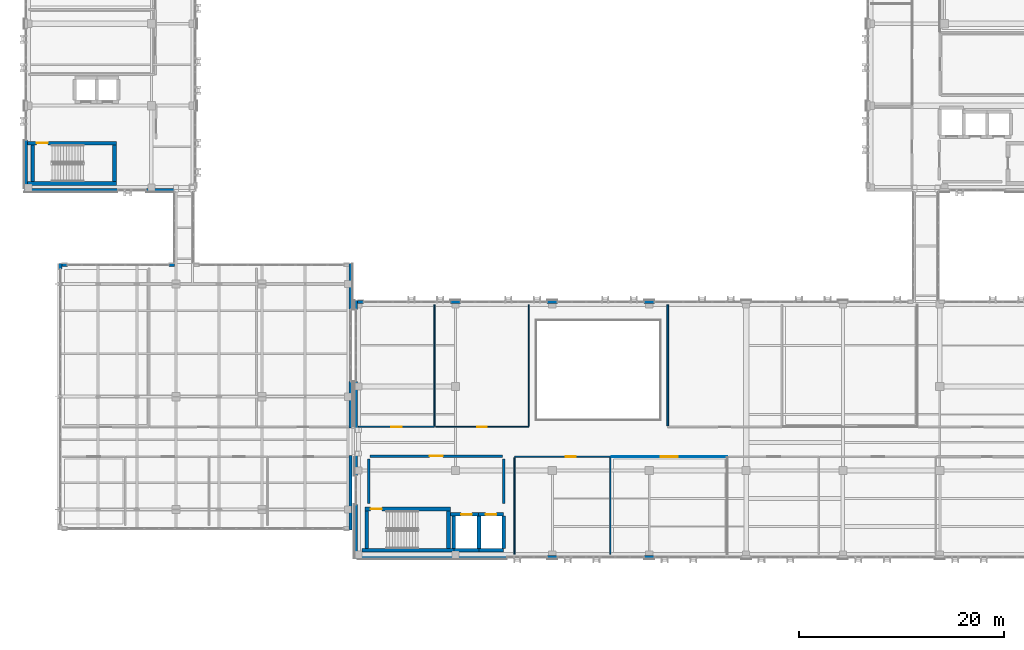
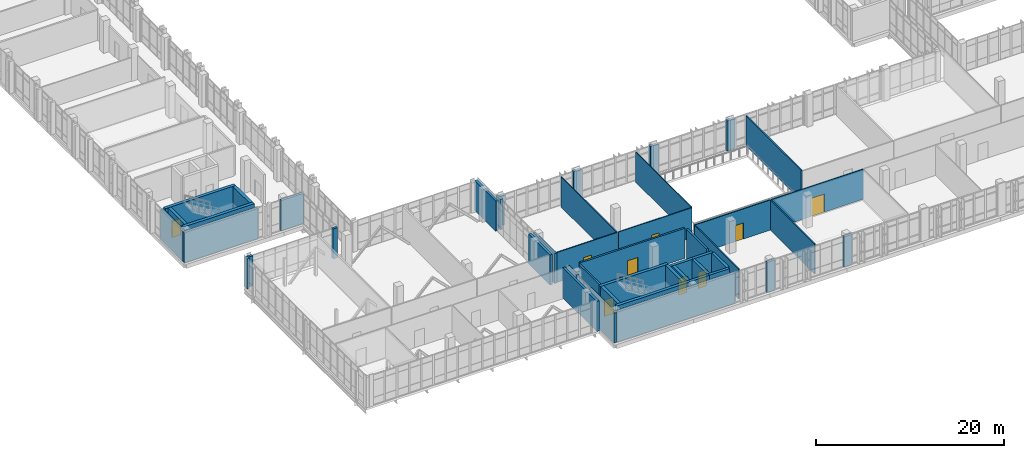
# One storey, part 154 of 193: 47 walls, 9 doors, 9 openings.
"""IFC4 building model written with IfcOpenShell, lengths in metres."""

from ifc_helpers import new_model, si_unit, direction, frame, frame_2d, origin, place, context, subcontext, project, spatial, rectangle, extrude, material, layer, layer_set, type_object, element, fill, save


model = new_model("IFC4")

# Units and contexts
model_context = context("Model", 3, precision=1e-05, world=origin(), true_north=direction((0.0, 1.0)))
body_context = subcontext(model_context, "Body", "Model", "MODEL_VIEW")
ifc_project = project(units=[si_unit("LENGTHUNIT", "METRE"), si_unit("AREAUNIT", "SQUARE_METRE"), si_unit("VOLUMEUNIT", "CUBIC_METRE"), si_unit("PLANEANGLEUNIT", "RADIAN"), si_unit("MASSUNIT", "GRAM", prefix="KILO")], contexts=[model_context])

# Site, building, storey
site_placement = place(None, origin())
site = spatial("IfcSite", under=ifc_project, at=site_placement, CompositionType="ELEMENT")
building_placement = place(site_placement, origin())
building = spatial("IfcBuilding", under=site, at=building_placement, Name="Qalavern Law Courts", CompositionType="ELEMENT")
storey_placement = place(building_placement, frame((0.0, 0.0, 10.199951171875)))
storey = spatial("IfcBuildingStorey", under=building, at=storey_placement, Name="L02", CompositionType="ELEMENT", Elevation=10.199951171875)

# Walls
ifc_material_1 = material(Name="Concrete C40/50", Category="concrete")
ifc_layer_1 = layer(ifc_material_1, 0.31005859375)
ifc_layer_set_1 = layer_set([ifc_layer_1], Name="Concrete C40/50")
wall_type_1 = type_object("IfcWallType", Name="ENV-EW-310", PredefinedType="SOLIDWALL", material=ifc_layer_set_1)
wall_1_placement = place(storey_placement, frame((33.844970703125, 8.0, 0.0), z_axis=(0.0, 0.0, 1.0), x_axis=(0.0, 1.0, 0.0)))
element("IfcWall", 1, at=wall_1_placement, inside=storey, type_object=wall_type_1, Name="V1 exterior wall L02 east 1", PredefinedType="SOLIDWALL", context=body_context, shape_type="SweptSolid", body=[
    extrude(rectangle(XDim=7.25, YDim=0.31005859375, at=frame_2d((3.625, 0.0))), origin(), (0.0, 0.0, 1.0), 3.9150390625),
])
wall_2_placement = place(storey_placement, frame((33.844970703125, 17.949951171875, 0.0), z_axis=(0.0, 0.0, 1.0), x_axis=(0.0, 1.0, 0.0)))
element("IfcWall", 2, at=wall_2_placement, inside=storey, type_object=wall_type_1, Name="V1 exterior pier wall L02 east 1", PredefinedType="SOLIDWALL", context=body_context, shape_type="SweptSolid", body=[
    extrude(rectangle(XDim=4.550048828125, YDim=0.31005859375, at=frame_2d((2.27490234375, 0.0))), origin(), (0.0, 0.0, 1.0), 3.9150390625),
])
wall_3_placement = place(storey_placement, frame((33.844970703125, 29.5, 0.0), z_axis=(0.0, 0.0, 1.0), x_axis=(0.0, 1.0, 0.0)))
element("IfcWall", 3, at=wall_3_placement, inside=storey, type_object=wall_type_1, Name="V1 exterior pier wall L02 east 2", PredefinedType="SOLIDWALL", context=body_context, shape_type="SweptSolid", body=[
    extrude(rectangle(XDim=4.5, YDim=0.31005859375, at=frame_2d((2.25, 0.0))), origin(), (0.0, 0.0, 1.0), 3.9150390625),
])
wall_4_placement = place(storey_placement, frame((16.64990234375, 33.844970703125, 0.0), z_axis=(0.0, 0.0, 1.0), x_axis=(-1.0, 0.0, 0.0)))
element("IfcWall", 4, at=wall_4_placement, inside=storey, type_object=wall_type_1, Name="V1 exterior pier wall L02 north 1", PredefinedType="SOLIDWALL", context=body_context, shape_type="SweptSolid", body=[
    extrude(rectangle(XDim=0.5498046875, YDim=0.31005859375, at=frame_2d((0.27490234375, 0.0))), origin(), (0.0, 0.0, 1.0), 3.9150390625),
])
for number, where, z_axis, x_axis, name in (
    (5, (6.205078125, 33.844970703125, 0.0), (0.0, 0.0, 1.0), (-1.0, 0.0, 0.0), "V1 exterior pier wall L02 north 2"),
    (6, (5.5048828125, 34.0, 0.0), (0.0, 0.0, 1.0), (0.0, -1.0, 0.0), "V1 exterior pier wall L02 west 1"),
):
    element("IfcWall", number, at=place(storey_placement, frame(where, z_axis=z_axis, x_axis=x_axis)), inside=storey, type_object=wall_type_1, Name=name, PredefinedType="SOLIDWALL", context=body_context, shape_type="SweptSolid", body=[
        extrude(rectangle(XDim=0.550048828125, YDim=0.31005859375, at=frame_2d((0.27490234375, 0.0))), origin(), (0.0, 0.0, 1.0), 3.9150390625),
    ])
wall_5_placement = place(storey_placement, frame((34.52490234375, 5.35498046875, 0.0), z_axis=(0.0, 0.0, 1.0), x_axis=(1.0, 0.0, 0.0)))
element("IfcWall", 7, at=wall_5_placement, inside=storey, type_object=wall_type_1, Name="V2 exterior pier wall L02 south 1", PredefinedType="SOLIDWALL", context=body_context, shape_type="SweptSolid", body=[
    extrude(rectangle(XDim=14.5751953125, YDim=0.31005859375, at=frame_2d((7.28759765625, 0.0))), origin(), (0.0, 0.0, 1.0), 3.9150390625),
])
for number, where, z_axis, x_axis, name in (
    (8, (53.028564453125, 5.35498046875, 0.0), (0.0, 0.0, 1.0), (1.0, 0.0, 0.0), "V2 exterior pier wall L02 south 2"),
    (9, (62.48291015625, 5.35498046875, 0.0), (0.0, 0.0, 1.0), (1.0, 0.0, 0.0), "V2 exterior pier wall L02 south 3"),
    (10, (63.48291015625, 30.2451171875, 0.0), (0.0, 0.0, 1.0), (-1.0, 0.0, 0.0), "V2 exterior pier wall L02 north 4"),
    (11, (54.028564453125, 30.2451171875, 0.0), (0.0, 0.0, 1.0), (-1.0, 0.0, 0.0), "V2 exterior pier wall L02 north 5"),
    (12, (44.57421875, 30.2451171875, 0.0), (0.0, 0.0, 1.0), (-1.0, 0.0, 0.0), "V2 exterior pier wall L02 north 6"),
):
    element("IfcWall", number, at=place(storey_placement, frame(where, z_axis=z_axis, x_axis=x_axis)), inside=storey, type_object=wall_type_1, Name=name, PredefinedType="SOLIDWALL", context=body_context, shape_type="SweptSolid", body=[
        extrude(rectangle(XDim=1.0, YDim=0.31005859375, at=frame_2d((0.5, 0.0))), origin(), (0.0, 0.0, 1.0), 3.9150390625),
    ])
wall_6_placement = place(storey_placement, frame((35.1201171875, 30.2451171875, 0.0), z_axis=(0.0, 0.0, 1.0), x_axis=(-1.0, 0.0, 0.0)))
element("IfcWall", 13, at=wall_6_placement, inside=storey, type_object=wall_type_1, Name="V2 exterior pier wall L02 north 7", PredefinedType="SOLIDWALL", context=body_context, shape_type="SweptSolid", body=[
    extrude(rectangle(XDim=0.59521484375, YDim=0.31005859375, at=frame_2d((0.297607421875, 0.0))), origin(), (0.0, 0.0, 1.0), 3.9150390625),
])
wall_7_placement = place(storey_placement, frame((34.375, 30.39990234375, 0.0), z_axis=(0.0, 0.0, 1.0), x_axis=(0.0, -1.0, 0.0)))
element("IfcWall", 14, at=wall_7_placement, inside=storey, type_object=wall_type_1, Name="V2 exterior pier wall L02 west 1", PredefinedType="SOLIDWALL", context=body_context, shape_type="SweptSolid", body=[
    extrude(rectangle(XDim=0.89990234375, YDim=0.31005859375, at=frame_2d((0.449951171875, 0.0))), origin(), (0.0, 0.0, 1.0), 3.9150390625),
])
wall_8_placement = place(storey_placement, frame((34.375, 22.5, 0.0), z_axis=(0.0, 0.0, 1.0), x_axis=(0.0, -1.0, 0.0)))
element("IfcWall", 15, at=wall_8_placement, inside=storey, type_object=wall_type_1, Name="V2 exterior pier wall L02 west 2", PredefinedType="SOLIDWALL", context=body_context, shape_type="SweptSolid", body=[
    extrude(rectangle(XDim=4.550048828125, YDim=0.31005859375, at=frame_2d((2.27490234375, 0.0))), origin(), (0.0, 0.0, 1.0), 3.9150390625),
])
wall_9_placement = place(storey_placement, frame((34.375, 15.25, 0.0), z_axis=(0.0, 0.0, 1.0), x_axis=(0.0, -1.0, 0.0)))
element("IfcWall", 16, at=wall_9_placement, inside=storey, type_object=wall_type_1, Name="V2 exterior pier wall L02 west 1", PredefinedType="SOLIDWALL", context=body_context, shape_type="SweptSolid", body=[
    extrude(rectangle(XDim=1.949951171875, YDim=0.31005859375, at=frame_2d((0.97509765625, 0.0))), origin(), (0.0, 0.0, 1.0), 3.9150390625),
])
wall_10_placement = place(storey_placement, frame((34.375, 10.5, 0.0), z_axis=(0.0, 0.0, 1.0), x_axis=(0.0, -1.0, 0.0)))
element("IfcWall", 17, at=wall_10_placement, inside=storey, type_object=wall_type_1, Name="V2 exterior pier wall L02 west 2", PredefinedType="SOLIDWALL", context=body_context, shape_type="SweptSolid", body=[
    extrude(rectangle(XDim=5.300048828125, YDim=0.31005859375, at=frame_2d((2.64990234375, 0.0))), origin(), (0.0, 0.0, 1.0), 3.9150390625),
])
wall_11_placement = place(storey_placement, frame((2.0, 41.175048828125, 0.0), z_axis=(0.0, 0.0, 1.0), x_axis=(1.0, 0.0, 0.0)))
element("IfcWall", 18, at=wall_11_placement, inside=storey, type_object=wall_type_1, Name="V3 exterior pier wall L02 south 1", PredefinedType="SOLIDWALL", context=body_context, shape_type="SweptSolid", body=[
    extrude(rectangle(XDim=9.10009765625, YDim=0.31005859375, at=frame_2d((4.550048828125, 0.0))), origin(), (0.0, 0.0, 1.0), 3.9150390625),
])
wall_12_placement = place(storey_placement, frame((13.89990234375, 41.175048828125, 0.0), z_axis=(0.0, 0.0, 1.0), x_axis=(1.0, 0.0, 0.0)))
element("IfcWall", 19, at=wall_12_placement, inside=storey, type_object=wall_type_1, Name="V3 exterior pier wall L02 south 2", PredefinedType="SOLIDWALL", context=body_context, shape_type="SweptSolid", body=[
    extrude(rectangle(XDim=2.75, YDim=0.31005859375, at=frame_2d((1.375, 0.0))), origin(), (0.0, 0.0, 1.0), 3.9150390625),
])
wall_13_placement = place(storey_placement, frame((2.155029296875, 46.050048828125, 0.0), z_axis=(0.0, 0.0, 1.0), x_axis=(0.0, -1.0, 0.0)))
element("IfcWall", 20, at=wall_13_placement, inside=storey, type_object=wall_type_1, Name="V3 exterior pier wall L02 west 8", PredefinedType="SOLIDWALL", context=body_context, shape_type="SweptSolid", body=[
    extrude(rectangle(XDim=4.72509765625, YDim=0.31005859375, at=frame_2d((2.362548828125, 0.0))), origin(), (0.0, 0.0, 1.0), 3.9150390625),
])
ifc_material_2 = material(Name="Concrete C45/55", Category="concrete")
ifc_layer_2 = layer(ifc_material_2, 0.375)
ifc_layer_set_2 = layer_set([ifc_layer_2], Name="Concrete C45/55")
wall_type_2 = type_object("IfcWallType", Name="INT-CW-375", PredefinedType="SHEAR", material=ifc_layer_set_2)
wall_14_placement = place(storey_placement, frame((2.31298828125, 41.8125, 0.0), z_axis=(0.0, 0.0, 1.0), x_axis=(1.0, 0.0, 0.0)))
element("IfcWall", 21, at=wall_14_placement, inside=storey, type_object=wall_type_2, Name="Core K2 stair shear wall L02 south", PredefinedType="SHEAR", context=body_context, shape_type="SweptSolid", body=[
    extrude(rectangle(XDim=8.662109375, YDim=0.375, at=frame_2d((4.3310546875, 0.0))), origin(), (0.0, 0.0, 1.0), 4.199951171875),
])
wall_15_placement = place(storey_placement, frame((10.78759765625, 42.0, 0.0), z_axis=(0.0, 0.0, 1.0), x_axis=(0.0, 1.0, 0.0)))
element("IfcWall", 22, at=wall_15_placement, inside=storey, type_object=wall_type_2, Name="Core K2 stair shear wall L02 east", PredefinedType="SHEAR", context=body_context, shape_type="SweptSolid", body=[
    extrude(rectangle(XDim=3.550048828125, YDim=0.375, at=frame_2d((1.77490234375, 0.0))), origin(), (0.0, 0.0, 1.0), 4.199951171875),
])

# Wall, opening, door
wall_16_placement = place(storey_placement, frame((10.97509765625, 45.737548828125, 0.0), z_axis=(0.0, 0.0, 1.0), x_axis=(-1.0, 0.0, 0.0)))
wall_16 = element("IfcWall", 23, at=wall_16_placement, inside=storey, type_object=wall_type_2, Name="Core K2 stair shear wall L02 north", PredefinedType="SHEAR", context=body_context, shape_type="SweptSolid", body=[
    extrude(rectangle(XDim=8.662109375, YDim=0.375, at=frame_2d((4.3310546875, 0.0))), origin(), (0.0, 0.0, 1.0), 4.199951171875),
])
opening_1_placement = place(wall_16_placement, frame((6.675048828125, 0.0, 0.0)))
opening_1 = element("IfcOpeningElement", 24, at=opening_1_placement, cuts=wall_16, Name="Opening L02-D057", PredefinedType="OPENING", context=body_context, shape_type="SweptSolid", body=[
    extrude(rectangle(XDim=1.10009765625, YDim=2.14990234375, at=frame_2d((0.550048828125, 1.074951171875))), frame((0.0, 0.202392578125, 0.0), z_axis=(0.0, -1.0, 0.0), x_axis=(1.0, 0.0, 0.0)), (0.0, 0.0, 1.0), 0.40478515625),
])
ifc_material_3 = material(Name="Steel fire-rated stair enclosure door", Category="steel")
door_type_1 = type_object("IfcDoorType", Name="INT-FD-1100x2150", OperationType="NOTDEFINED", PredefinedType="DOOR", material=ifc_material_3)
door_1_placement = place(opening_1_placement, frame((1.10009765625, 0.0, 0.0), z_axis=(0.0, 0.0, 1.0), x_axis=(-1.0, 0.0, 0.0)))
door_1 = element("IfcDoor", 25, at=door_1_placement, inside=storey, type_object=door_type_1, Name="Stair K2 fire door L02", OperationType="SINGLE_SWING_LEFT", OverallHeight=2.14990234375, OverallWidth=1.10009765625, PredefinedType="DOOR", context=body_context, shape_type="SweptSolid", body=[
    extrude(rectangle(XDim=1.10009765625, YDim=2.14990234375, at=frame_2d((0.550048828125, 1.074951171875))), frame((0.0, 0.02490234375, 0.0), z_axis=(0.0, -1.0, 0.0), x_axis=(1.0, 0.0, 0.0)), (0.0, 0.0, 1.0), 0.050048828125),
])
fill(opening_1, door_1)

# Walls
wall_17_placement = place(storey_placement, frame((2.8125, 45.550048828125, 0.0), z_axis=(0.0, 0.0, 1.0), x_axis=(0.0, -1.0, 0.0)))
element("IfcWall", 26, at=wall_17_placement, inside=storey, type_object=wall_type_2, Name="Core K2 stair shear wall L02 west", PredefinedType="SHEAR", context=body_context, shape_type="SweptSolid", body=[
    extrude(rectangle(XDim=3.550048828125, YDim=0.375, at=frame_2d((1.77490234375, 0.0))), origin(), (0.0, 0.0, 1.0), 4.199951171875),
])
wall_18_placement = place(storey_placement, frame((34.972900390625, 6.012451171875, 0.0), z_axis=(0.0, 0.0, 1.0), x_axis=(1.0, 0.0, 0.0)))
element("IfcWall", 27, at=wall_18_placement, inside=storey, type_object=wall_type_2, Name="Core K4 stair shear wall L02 south", PredefinedType="SHEAR", context=body_context, shape_type="SweptSolid", body=[
    extrude(rectangle(XDim=8.95166015625, YDim=0.375, at=frame_2d((4.475830078125, 0.0))), origin(), (0.0, 0.0, 1.0), 4.199951171875),
])
wall_19_placement = place(storey_placement, frame((43.387451171875, 6.199951171875, 0.0), z_axis=(0.0, 0.0, 1.0), x_axis=(0.0, 1.0, 0.0)))
element("IfcWall", 28, at=wall_19_placement, inside=storey, type_object=wall_type_2, Name="Core K4 stair shear wall L02 east", PredefinedType="SHEAR", context=body_context, shape_type="SweptSolid", body=[
    extrude(rectangle(XDim=3.650146484375, YDim=0.375, at=frame_2d((1.8251953125, 0.0))), origin(), (0.0, 0.0, 1.0), 4.199951171875),
])

# Wall, opening, door
wall_20_placement = place(storey_placement, frame((43.574951171875, 10.03759765625, 0.0), z_axis=(0.0, 0.0, 1.0), x_axis=(-1.0, 0.0, 0.0)))
wall_20 = element("IfcWall", 29, at=wall_20_placement, inside=storey, type_object=wall_type_2, Name="Core K4 stair shear wall L02 north", PredefinedType="SHEAR", context=body_context, shape_type="SweptSolid", body=[
    extrude(rectangle(XDim=8.349853515625, YDim=0.375, at=frame_2d((4.1748046875, 0.0))), origin(), (0.0, 0.0, 1.0), 4.199951171875),
])
opening_2_placement = place(wall_20_placement, frame((6.675048828125, 0.0, 0.0)))
opening_2 = element("IfcOpeningElement", 30, at=opening_2_placement, cuts=wall_20, Name="Opening L02-D095", PredefinedType="OPENING", context=body_context, shape_type="SweptSolid", body=[
    extrude(rectangle(XDim=1.10009765625, YDim=2.14990234375, at=frame_2d((0.550048828125, 1.074951171875))), frame((0.0, 0.202392578125, 0.0), z_axis=(0.0, -1.0, 0.0), x_axis=(1.0, 0.0, 0.0)), (0.0, 0.0, 1.0), 0.40478515625),
])
door_2_placement = place(opening_2_placement, frame((1.10009765625, 0.0, 0.0), z_axis=(0.0, 0.0, 1.0), x_axis=(-1.0, 0.0, 0.0)))
door_2 = element("IfcDoor", 31, at=door_2_placement, inside=storey, type_object=door_type_1, Name="Stair K4 fire door L02", OperationType="SINGLE_SWING_RIGHT", OverallHeight=2.14990234375, OverallWidth=1.10009765625, PredefinedType="DOOR", context=body_context, shape_type="SweptSolid", body=[
    extrude(rectangle(XDim=1.10009765625, YDim=2.14990234375, at=frame_2d((0.550048828125, 1.074951171875))), frame((0.0, 0.02490234375, 0.0), z_axis=(0.0, -1.0, 0.0), x_axis=(1.0, 0.0, 0.0)), (0.0, 0.0, 1.0), 0.050048828125),
])
fill(opening_2, door_2)

# Wall
wall_21_placement = place(storey_placement, frame((35.41259765625, 9.85009765625, 0.0), z_axis=(0.0, 0.0, 1.0), x_axis=(0.0, -1.0, 0.0)))
element("IfcWall", 32, at=wall_21_placement, inside=storey, type_object=wall_type_2, Name="Core K4 stair shear wall L02 west", PredefinedType="SHEAR", context=body_context, shape_type="SweptSolid", body=[
    extrude(rectangle(XDim=3.650146484375, YDim=0.375, at=frame_2d((1.8251953125, 0.0))), origin(), (0.0, 0.0, 1.0), 4.199951171875),
])

# Wall, opening, door
ifc_layer_3 = layer(ifc_material_1, 0.22509765625)
ifc_layer_set_3 = layer_set([ifc_layer_3], Name="Concrete C40/50")
wall_type_3 = type_object("IfcWallType", Name="INT-FW-225", PredefinedType="PARTITIONING", material=ifc_layer_set_3)
wall_22_placement = place(storey_placement, frame((35.75, 15.199951171875, 0.0), z_axis=(0.0, 0.0, 1.0), x_axis=(1.0, 0.0, 0.0)))
wall_22 = element("IfcWall", 33, at=wall_22_placement, inside=storey, type_object=wall_type_3, Name="Core K4 firefighting/stair lobby fire wall L02", PredefinedType="PARTITIONING", context=body_context, shape_type="SweptSolid", body=[
    extrude(rectangle(XDim=12.89990234375, YDim=0.22509765625, at=frame_2d((6.449951171875, 0.0))), origin(), (0.0, 0.0, 1.0), 3.9150390625),
])
opening_3_placement = place(wall_22_placement, frame((5.800048828125, 0.0, 0.0)))
opening_3 = element("IfcOpeningElement", 34, at=opening_3_placement, cuts=wall_22, Name="Opening L02-D096", PredefinedType="OPENING", context=body_context, shape_type="SweptSolid", body=[
    extrude(rectangle(XDim=1.300048828125, YDim=2.14990234375, at=frame_2d((0.64990234375, 1.074951171875))), frame((0.0, 0.12744140625, 0.0), z_axis=(0.0, -1.0, 0.0), x_axis=(1.0, 0.0, 0.0)), (0.0, 0.0, 1.0), 0.2548828125),
])
ifc_material_4 = material(Name="Steel fire-rated frame and acoustic timber leaves", Category="steel")
door_type_2 = type_object("IfcDoorType", Name="INT-FD-1300x2150", OperationType="DOUBLE_DOOR_SINGLE_SWING", PredefinedType="DOOR", material=ifc_material_4)
door_3_placement = place(opening_3_placement, origin())
door_3 = element("IfcDoor", 35, at=door_3_placement, inside=storey, type_object=door_type_2, Name="Core K4 lobby fire door L02", OperationType="DOUBLE_DOOR_SINGLE_SWING", OverallHeight=2.14990234375, OverallWidth=1.300048828125, PredefinedType="DOOR", context=body_context, shape_type="SweptSolid", body=[
    extrude(rectangle(XDim=1.300048828125, YDim=2.14990234375, at=frame_2d((0.64990234375, 1.074951171875))), frame((0.0, 0.02490234375, 0.0), z_axis=(0.0, -1.0, 0.0), x_axis=(1.0, 0.0, 0.0)), (0.0, 0.0, 1.0), 0.050048828125),
])
fill(opening_3, door_3)

# Walls
for number, where, z_axis, x_axis, name in (
    (36, (35.60009765625, 10.60009765625, 0.0), (0.0, 0.0, 1.0), (0.0, 1.0, 0.0), "Core K4 lobby return wall L02 west"),
    (37, (48.800048828125, 10.60009765625, 0.0), (0.0, 0.0, 1.0), (0.0, 1.0, 0.0), "Core K4 lobby return wall L02 east"),
):
    element("IfcWall", number, at=place(storey_placement, frame(where, z_axis=z_axis, x_axis=x_axis)), inside=storey, type_object=wall_type_3, Name=name, PredefinedType="PARTITIONING", context=body_context, shape_type="SweptSolid", body=[
        extrude(rectangle(XDim=4.2998046875, YDim=0.22509765625, at=frame_2d((2.14990234375, 0.0))), origin(), (0.0, 0.0, 1.0), 3.9150390625),
    ])

# Wall, opening, door
ifc_material_5 = material(Name="Gypsum shaft/chase partition")
ifc_layer_4 = layer(ifc_material_5, 0.092041015625)
ifc_layer_set_4 = layer_set([ifc_layer_4], Name="Gypsum shaft/chase partition")
wall_type_4 = type_object("IfcWallType", Name="INT-PW-092", PredefinedType="PARTITIONING", material=ifc_layer_set_4)
wall_23_placement = place(storey_placement, frame((59.306884765625, 15.139892578125, 0.0), z_axis=(0.0, 0.0, 1.0), x_axis=(1.0, 0.0, 0.0)))
wall_23 = element("IfcWall", 38, at=wall_23_placement, inside=storey, type_object=wall_type_4, Name="Civil Trial Courtroom corridor partition L02", PredefinedType="PARTITIONING", context=body_context, shape_type="SweptSolid", body=[
    extrude(rectangle(XDim=11.2890625, YDim=0.092041015625, at=frame_2d((5.64453125, 0.0))), origin(), (0.0, 0.0, 1.0), 3.9150390625),
])
opening_4_placement = place(wall_23_placement, frame((4.819580078125, 0.0, 0.0)))
opening_4 = element("IfcOpeningElement", 39, at=opening_4_placement, cuts=wall_23, Name="Opening L02-D171", PredefinedType="OPENING", context=body_context, shape_type="SweptSolid", body=[
    extrude(rectangle(XDim=1.64990234375, YDim=2.35009765625, at=frame_2d((0.824951171875, 1.175048828125))), frame((0.0, 0.06103515625, 0.0), z_axis=(0.0, -1.0, 0.0), x_axis=(1.0, 0.0, 0.0)), (0.0, 0.0, 1.0), 0.121826171875),
])
ifc_material_6 = material(Name="Acoustic oak double Ceremonial Courtroom door")
door_type_3 = type_object("IfcDoorType", Name="INT-ID-1650x2350", OperationType="DOUBLE_DOOR_SINGLE_SWING", PredefinedType="DOOR", material=ifc_material_6)
door_4_placement = place(opening_4_placement, frame((1.64990234375, 0.0, 0.0), z_axis=(0.0, 0.0, 1.0), x_axis=(-1.0, 0.0, 0.0)))
door_4 = element("IfcDoor", 40, at=door_4_placement, inside=storey, type_object=door_type_3, Name="Civil Trial Courtroom door L02", OperationType="DOUBLE_DOOR_SINGLE_SWING", OverallHeight=2.35009765625, OverallWidth=1.64990234375, PredefinedType="DOOR", context=body_context, shape_type="SweptSolid", body=[
    extrude(rectangle(XDim=1.64990234375, YDim=2.35009765625, at=frame_2d((0.824951171875, 1.175048828125))), frame((0.0, 0.02490234375, 0.0), z_axis=(0.0, -1.0, 0.0), x_axis=(1.0, 0.0, 0.0)), (0.0, 0.0, 1.0), 0.050048828125),
])
fill(opening_4, door_4)

ifc_material_7 = material(Name="Gypsum stud partition")
ifc_layer_5 = layer(ifc_material_7, 0.112060546875)
ifc_layer_set_5 = layer_set([ifc_layer_5], Name="Gypsum stud partition")
wall_type_5 = type_object("IfcWallType", Name="INT-PW-112", PredefinedType="PARTITIONING", material=ifc_layer_set_5)
wall_24_placement = place(storey_placement, frame((42.139892578125, 18.06005859375, 0.0), z_axis=(0.0, 0.0, 1.0), x_axis=(1.0, 0.0, 0.0)))
wall_24 = element("IfcWall", 41, at=wall_24_placement, inside=storey, type_object=wall_type_5, Name="Public WC corridor partition L02", PredefinedType="PARTITIONING", context=body_context, shape_type="SweptSolid", body=[
    extrude(rectangle(XDim=9.070068359375, YDim=0.112060546875, at=frame_2d((4.53515625, 0.0))), origin(), (0.0, 0.0, 1.0), 3.9150390625),
])
opening_5_placement = place(wall_24_placement, frame((4.06494140625, 0.0, 0.0)))
opening_5 = element("IfcOpeningElement", 42, at=opening_5_placement, cuts=wall_24, Name="Opening L02-D179", PredefinedType="OPENING", context=body_context, shape_type="SweptSolid", body=[
    extrude(rectangle(XDim=0.93994140625, YDim=2.070068359375, at=frame_2d((0.469970703125, 1.03515625))), frame((0.0, 0.07080078125, 0.0), z_axis=(0.0, -1.0, 0.0), x_axis=(1.0, 0.0, 0.0)), (0.0, 0.0, 1.0), 0.141845703125),
])
ifc_material_8 = material(Name="Accessible WC outward-clear door")
door_type_4 = type_object("IfcDoorType", Name="INT-ID-940x2070", OperationType="NOTDEFINED", PredefinedType="DOOR", material=ifc_material_8)
door_5_placement = place(opening_5_placement, origin())
door_5 = element("IfcDoor", 43, at=door_5_placement, inside=storey, type_object=door_type_4, Name="Public WC door L02", OperationType="SINGLE_SWING_LEFT", OverallHeight=2.070068359375, OverallWidth=0.93994140625, PredefinedType="DOOR", context=body_context, shape_type="SweptSolid", body=[
    extrude(rectangle(XDim=0.93994140625, YDim=2.070068359375, at=frame_2d((0.469970703125, 1.03515625))), frame((0.0, 0.02490234375, 0.0), z_axis=(0.0, -1.0, 0.0), x_axis=(1.0, 0.0, 0.0)), (0.0, 0.0, 1.0), 0.050048828125),
])
fill(opening_5, door_5)

# Wall
wall_25_placement = place(storey_placement, frame((51.2099609375, 18.135986328125, 0.0), z_axis=(0.0, 0.0, 1.0), x_axis=(0.0, 1.0, 0.0)))
element("IfcWall", 44, at=wall_25_placement, inside=storey, type_object=wall_type_5, Name="Public WC cross partition L02 east", PredefinedType="PARTITIONING", context=body_context, shape_type="SweptSolid", body=[
    extrude(rectangle(XDim=11.823974609375, YDim=0.112060546875, at=frame_2d((5.912109375, 0.0))), origin(), (0.0, 0.0, 1.0), 3.9150390625),
])

# Wall, opening, door
ifc_layer_6 = layer(ifc_material_7, 0.1220703125)
ifc_layer_set_6 = layer_set([ifc_layer_6], Name="Gypsum stud partition")
wall_type_6 = type_object("IfcWallType", Name="INT-PW-122", PredefinedType="PARTITIONING", material=ifc_layer_set_6)
wall_26_placement = place(storey_placement, frame((34.60009765625, 18.06005859375, 0.0), z_axis=(0.0, 0.0, 1.0), x_axis=(1.0, 0.0, 0.0)))
wall_26 = element("IfcWall", 45, at=wall_26_placement, inside=storey, type_object=wall_type_6, Name="Counsel Conference Room corridor partition L02", PredefinedType="PARTITIONING", context=body_context, shape_type="SweptSolid", body=[
    extrude(rectangle(XDim=7.419921875, YDim=0.1220703125, at=frame_2d((3.7099609375, 0.0))), origin(), (0.0, 0.0, 1.0), 3.9150390625),
])
opening_6_placement = place(wall_26_placement, frame((3.2099609375, 0.0, 0.0)))
opening_6 = element("IfcOpeningElement", 46, at=opening_6_placement, cuts=wall_26, Name="Opening L02-D178", PredefinedType="OPENING", context=body_context, shape_type="SweptSolid", body=[
    extrude(rectangle(XDim=1.0, YDim=2.10009765625, at=frame_2d((0.5, 1.050048828125))), frame((0.0, 0.075927734375, 0.0), z_axis=(0.0, -1.0, 0.0), x_axis=(1.0, 0.0, 0.0)), (0.0, 0.0, 1.0), 0.15185546875),
])
ifc_material_9 = material(Name="Timber Judicial Clerks' Office door", Category="wood")
door_type_5 = type_object("IfcDoorType", Name="INT-ID-1000x2100", OperationType="NOTDEFINED", PredefinedType="DOOR", material=ifc_material_9)
door_6_placement = place(opening_6_placement, origin())
door_6 = element("IfcDoor", 47, at=door_6_placement, inside=storey, type_object=door_type_5, Name="Counsel Conference Room door L02", OperationType="SINGLE_SWING_RIGHT", OverallHeight=2.10009765625, OverallWidth=1.0, PredefinedType="DOOR", context=body_context, shape_type="SweptSolid", body=[
    extrude(rectangle(XDim=1.0, YDim=2.10009765625, at=frame_2d((0.5, 1.050048828125))), frame((0.0, 0.02490234375, 0.0), z_axis=(0.0, -1.0, 0.0), x_axis=(1.0, 0.0, 0.0)), (0.0, 0.0, 1.0), 0.050048828125),
])
fill(opening_6, door_6)

# Wall
wall_27_placement = place(storey_placement, frame((42.02001953125, 18.14111328125, 0.0), z_axis=(0.0, 0.0, 1.0), x_axis=(0.0, 1.0, 0.0)))
element("IfcWall", 48, at=wall_27_placement, inside=storey, type_object=wall_type_6, Name="Counsel Conference Room cross partition L02 east", PredefinedType="PARTITIONING", context=body_context, shape_type="SweptSolid", body=[
    extrude(rectangle(XDim=11.81884765625, YDim=0.1220703125, at=frame_2d((5.909423828125, 0.0))), origin(), (0.0, 0.0, 1.0), 3.9150390625),
])

# Wall, opening, door
ifc_layer_7 = layer(ifc_material_7, 0.132080078125)
ifc_layer_set_7 = layer_set([ifc_layer_7], Name="Gypsum stud partition")
wall_type_7 = type_object("IfcWallType", Name="INT-PW-132", PredefinedType="PARTITIONING", material=ifc_layer_set_7)
wall_28_placement = place(storey_placement, frame((49.840087890625, 15.139892578125, 0.0), z_axis=(0.0, 0.0, 1.0), x_axis=(1.0, 0.0, 0.0)))
wall_28 = element("IfcWall", 49, at=wall_28_placement, inside=storey, type_object=wall_type_7, Name="Public Hall Upper Concourse corridor partition L02", PredefinedType="PARTITIONING", context=body_context, shape_type="SweptSolid", body=[
    extrude(rectangle(XDim=9.346923828125, YDim=0.132080078125, at=frame_2d((4.67333984375, 0.0))), origin(), (0.0, 0.0, 1.0), 3.9150390625),
])
opening_7_placement = place(wall_28_placement, frame((4.9833984375, 0.0, 0.0)))
opening_7 = element("IfcOpeningElement", 50, at=opening_7_placement, cuts=wall_28, Name="Opening L02-D170", PredefinedType="OPENING", context=body_context, shape_type="SweptSolid", body=[
    extrude(rectangle(XDim=0.97998046875, YDim=2.090087890625, at=frame_2d((0.489990234375, 1.044921875))), frame((0.0, 0.0810546875, 0.0), z_axis=(0.0, -1.0, 0.0), x_axis=(1.0, 0.0, 0.0)), (0.0, 0.0, 1.0), 0.161865234375),
])
ifc_material_10 = material(Name="Timber Legal Research Office door", Category="wood")
door_type_6 = type_object("IfcDoorType", Name="INT-ID-980x2090", OperationType="NOTDEFINED", PredefinedType="DOOR", material=ifc_material_10)
door_7_placement = place(opening_7_placement, frame((0.97998046875, 0.0, 0.0), z_axis=(0.0, 0.0, 1.0), x_axis=(-1.0, 0.0, 0.0)))
door_7 = element("IfcDoor", 51, at=door_7_placement, inside=storey, type_object=door_type_6, Name="Public Hall Upper Concourse door L02", OperationType="SINGLE_SWING_RIGHT", OverallHeight=2.090087890625, OverallWidth=0.97998046875, PredefinedType="DOOR", context=body_context, shape_type="SweptSolid", body=[
    extrude(rectangle(XDim=0.97998046875, YDim=2.090087890625, at=frame_2d((0.489990234375, 1.044921875))), frame((0.0, 0.02490234375, 0.0), z_axis=(0.0, -1.0, 0.0), x_axis=(1.0, 0.0, 0.0)), (0.0, 0.0, 1.0), 0.050048828125),
])
fill(opening_7, door_7)

# Walls
for number, where, z_axis, x_axis, name in (
    (52, (49.840087890625, 5.639892578125, 0.0), (0.0, 0.0, 1.0), (0.0, 1.0, 0.0), "Public Hall Upper Concourse cross partition L02 west"),
    (53, (59.18701171875, 5.639892578125, 0.0), (0.0, 0.0, 1.0), (0.0, 1.0, 0.0), "Public Hall Upper Concourse cross partition L02 east"),
):
    element("IfcWall", number, at=place(storey_placement, frame(where, z_axis=z_axis, x_axis=x_axis)), inside=storey, type_object=wall_type_7, Name=name, PredefinedType="PARTITIONING", context=body_context, shape_type="SweptSolid", body=[
        extrude(rectangle(XDim=9.4140625, YDim=0.132080078125, at=frame_2d((4.70703125, 0.0))), origin(), (0.0, 0.0, 1.0), 3.9150390625),
    ])
ifc_layer_8 = layer(ifc_material_7, 0.152099609375)
ifc_layer_set_8 = layer_set([ifc_layer_8], Name="Gypsum stud partition")
wall_type_8 = type_object("IfcWallType", Name="INT-PW-152", PredefinedType="PARTITIONING", material=ifc_layer_set_8)
wall_29_placement = place(storey_placement, frame((64.7900390625, 18.156005859375, 0.0), z_axis=(0.0, 0.0, 1.0), x_axis=(0.0, 1.0, 0.0)))
element("IfcWall", 54, at=wall_29_placement, inside=storey, type_object=wall_type_8, Name="Public Hall Upper Concourse cross partition L02 west", PredefinedType="PARTITIONING", context=body_context, shape_type="SweptSolid", body=[
    extrude(rectangle(XDim=11.803955078125, YDim=0.152099609375, at=frame_2d((5.90185546875, 0.0))), origin(), (0.0, 0.0, 1.0), 3.9150390625),
])
ifc_layer_9 = layer(ifc_material_2, 0.344970703125)
ifc_layer_set_9 = layer_set([ifc_layer_9], Name="Concrete C45/55")
wall_type_9 = type_object("IfcWallType", Name="INT-SW-345", PredefinedType="SHEAR", material=ifc_layer_set_9)
wall_30_placement = place(storey_placement, frame((43.927490234375, 6.027587890625, 0.0), z_axis=(0.0, 0.0, 1.0), x_axis=(1.0, 0.0, 0.0)))
element("IfcWall", 55, at=wall_30_placement, inside=storey, type_object=wall_type_9, Name="Lift LF-P3 shaft wall L02 south", PredefinedType="SHEAR", context=body_context, shape_type="SweptSolid", body=[
    extrude(rectangle(XDim=2.445068359375, YDim=0.344970703125, at=frame_2d((1.22265625, 0.0))), origin(), (0.0, 0.0, 1.0), 4.199951171875),
])
wall_31_placement = place(storey_placement, frame((46.37255859375, 6.199951171875, 0.0), z_axis=(0.0, 0.0, 1.0), x_axis=(0.0, 1.0, 0.0)))
element("IfcWall", 56, at=wall_31_placement, inside=storey, type_object=wall_type_9, Name="Lift LF-P3 shaft wall L02 east", PredefinedType="SHEAR", context=body_context, shape_type="SweptSolid", body=[
    extrude(rectangle(XDim=3.150146484375, YDim=0.344970703125, at=frame_2d((1.5751953125, 0.0))), origin(), (0.0, 0.0, 1.0), 4.199951171875),
])

# Wall, opening, door
wall_32_placement = place(storey_placement, frame((46.37255859375, 9.5224609375, 0.0), z_axis=(0.0, 0.0, 1.0), x_axis=(-1.0, 0.0, 0.0)))
wall_32 = element("IfcWall", 57, at=wall_32_placement, inside=storey, type_object=wall_type_9, Name="Lift LF-P3 shaft wall L02 north", PredefinedType="SHEAR", context=body_context, shape_type="SweptSolid", body=[
    extrude(rectangle(XDim=2.794677734375, YDim=0.344970703125, at=frame_2d((1.3974609375, 0.0))), origin(), (0.0, 0.0, 1.0), 4.199951171875),
])
opening_8_placement = place(wall_32_placement, frame((0.697509765625, 0.0, 0.0)))
opening_8 = element("IfcOpeningElement", 58, at=opening_8_placement, cuts=wall_32, Name="Opening LD-LF-P3-L02", PredefinedType="OPENING", context=body_context, shape_type="SweptSolid", body=[
    extrude(rectangle(XDim=1.050048828125, YDim=2.14990234375, at=frame_2d((0.52490234375, 1.074951171875))), frame((0.0, 0.1875, 0.0), z_axis=(0.0, -1.0, 0.0), x_axis=(1.0, 0.0, 0.0)), (0.0, 0.0, 1.0), 0.374755859375),
])
ifc_material_11 = material(Name="Brushed stainless steel passenger lift sliding landing door", Category="steel")
door_type_7 = type_object("IfcDoorType", Name="INT-LD-1050x2150", OperationType="DOUBLE_DOOR_SLIDING", PredefinedType="DOOR", material=ifc_material_11)
door_8_placement = place(opening_8_placement, origin())
door_8 = element("IfcDoor", 59, at=door_8_placement, inside=storey, type_object=door_type_7, Name="Lift LF-P3 sliding landing door L02", OperationType="DOUBLE_DOOR_SLIDING", OverallHeight=2.14990234375, OverallWidth=1.050048828125, PredefinedType="DOOR", context=body_context, shape_type="SweptSolid", body=[
    extrude(rectangle(XDim=1.050048828125, YDim=2.14990234375, at=frame_2d((0.52490234375, 1.074951171875))), frame((0.0, 0.02490234375, 0.0), z_axis=(0.0, -1.0, 0.0), x_axis=(1.0, 0.0, 0.0)), (0.0, 0.0, 1.0), 0.050048828125),
])
fill(opening_8, door_8)

# Walls
wall_33_placement = place(storey_placement, frame((43.927490234375, 9.35009765625, 0.0), z_axis=(0.0, 0.0, 1.0), x_axis=(0.0, -1.0, 0.0)))
element("IfcWall", 60, at=wall_33_placement, inside=storey, type_object=wall_type_9, Name="Lift LF-P3 shaft wall L02 west", PredefinedType="SHEAR", context=body_context, shape_type="SweptSolid", body=[
    extrude(rectangle(XDim=3.150146484375, YDim=0.344970703125, at=frame_2d((1.5751953125, 0.0))), origin(), (0.0, 0.0, 1.0), 4.199951171875),
])
wall_34_placement = place(storey_placement, frame((46.327392578125, 6.027587890625, 0.0), z_axis=(0.0, 0.0, 1.0), x_axis=(1.0, 0.0, 0.0)))
element("IfcWall", 61, at=wall_34_placement, inside=storey, type_object=wall_type_9, Name="Lift LF-P4 shaft wall L02 south", PredefinedType="SHEAR", context=body_context, shape_type="SweptSolid", body=[
    extrude(rectangle(XDim=2.445068359375, YDim=0.344970703125, at=frame_2d((1.22265625, 0.0))), origin(), (0.0, 0.0, 1.0), 4.199951171875),
])
wall_35_placement = place(storey_placement, frame((48.7724609375, 6.199951171875, 0.0), z_axis=(0.0, 0.0, 1.0), x_axis=(0.0, 1.0, 0.0)))
element("IfcWall", 62, at=wall_35_placement, inside=storey, type_object=wall_type_9, Name="Lift LF-P4 shaft wall L02 east", PredefinedType="SHEAR", context=body_context, shape_type="SweptSolid", body=[
    extrude(rectangle(XDim=3.150146484375, YDim=0.344970703125, at=frame_2d((1.5751953125, 0.0))), origin(), (0.0, 0.0, 1.0), 4.199951171875),
])

# Wall, opening, door
wall_36_placement = place(storey_placement, frame((48.7724609375, 9.5224609375, 0.0), z_axis=(0.0, 0.0, 1.0), x_axis=(-1.0, 0.0, 0.0)))
wall_36 = element("IfcWall", 63, at=wall_36_placement, inside=storey, type_object=wall_type_9, Name="Lift LF-P4 shaft wall L02 north", PredefinedType="SHEAR", context=body_context, shape_type="SweptSolid", body=[
    extrude(rectangle(XDim=2.445068359375, YDim=0.344970703125, at=frame_2d((1.22265625, 0.0))), origin(), (0.0, 0.0, 1.0), 4.199951171875),
])
opening_9_placement = place(wall_36_placement, frame((0.697509765625, 0.0, 0.0)))
opening_9 = element("IfcOpeningElement", 64, at=opening_9_placement, cuts=wall_36, Name="Opening LD-LF-P4-L02", PredefinedType="OPENING", context=body_context, shape_type="SweptSolid", body=[
    extrude(rectangle(XDim=1.050048828125, YDim=2.14990234375, at=frame_2d((0.52490234375, 1.074951171875))), frame((0.0, 0.1875, 0.0), z_axis=(0.0, -1.0, 0.0), x_axis=(1.0, 0.0, 0.0)), (0.0, 0.0, 1.0), 0.374755859375),
])
door_9_placement = place(opening_9_placement, origin())
door_9 = element("IfcDoor", 65, at=door_9_placement, inside=storey, type_object=door_type_7, Name="Lift LF-P4 sliding landing door L02", OperationType="DOUBLE_DOOR_SLIDING", OverallHeight=2.14990234375, OverallWidth=1.050048828125, PredefinedType="DOOR", context=body_context, shape_type="SweptSolid", body=[
    extrude(rectangle(XDim=1.050048828125, YDim=2.14990234375, at=frame_2d((0.52490234375, 1.074951171875))), frame((0.0, 0.02490234375, 0.0), z_axis=(0.0, -1.0, 0.0), x_axis=(1.0, 0.0, 0.0)), (0.0, 0.0, 1.0), 0.050048828125),
])
fill(opening_9, door_9)

save(model, "model.ifc")
